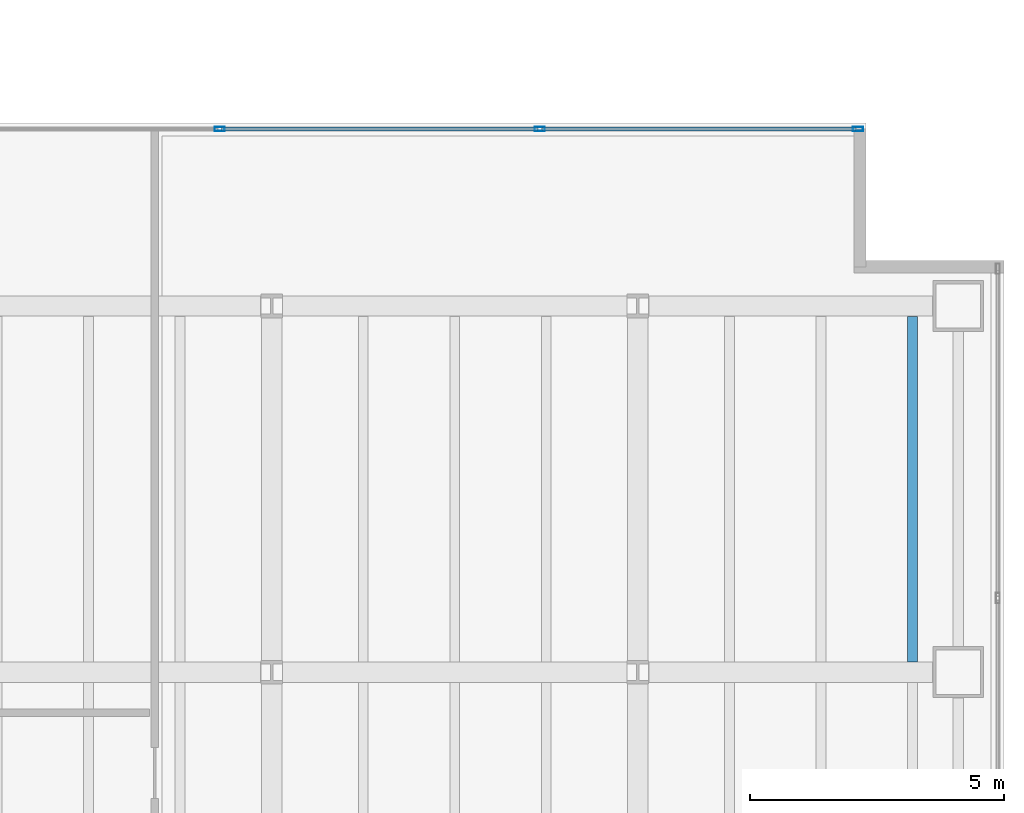
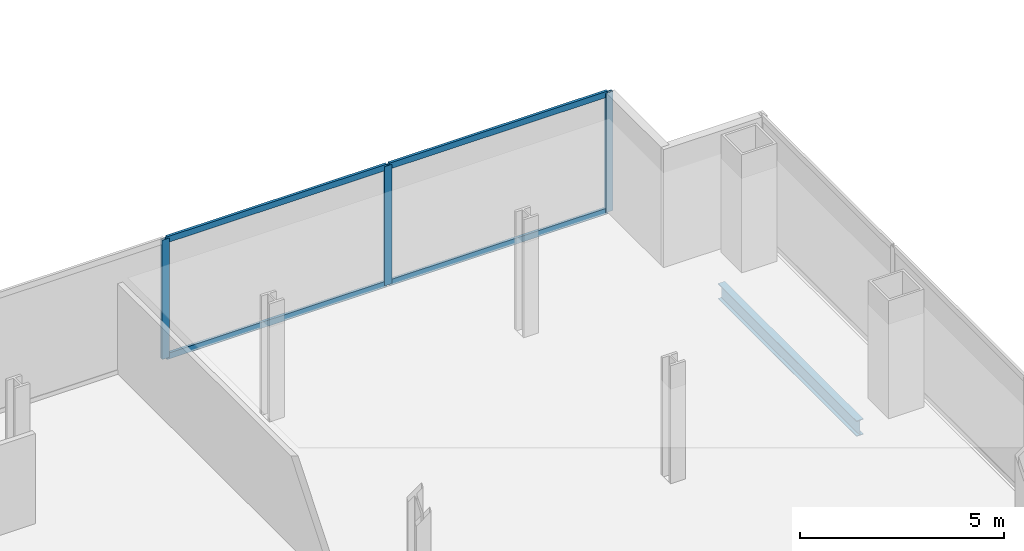
# One storey, part 12 of 25: 7 members, 1 beam, 1 element without a shape of its own.
"""IFC4 building model written with IfcOpenShell, lengths in metres."""

from ifc_helpers import new_model, si_unit, direction, frame, origin, origin_2d, place, context, subcontext, project, spatial, hollow_rectangle, i_section, extrude, material, material_profile, profile_set, type_object, element, aggregate, save


model = new_model("IFC4")

# Units and contexts
model_context = context("Model", 3, precision=1e-05, world=origin(), true_north=direction((0.0, 1.0)))
body_context = subcontext(model_context, "Body", "Model", "MODEL_VIEW")
ifc_project = project(units=[si_unit("LENGTHUNIT", "METRE"), si_unit("AREAUNIT", "SQUARE_METRE"), si_unit("VOLUMEUNIT", "CUBIC_METRE"), si_unit("PLANEANGLEUNIT", "RADIAN"), si_unit("MASSUNIT", "GRAM", prefix="KILO")], contexts=[model_context])

# Site, building, storey
site_placement = place(None, origin())
site = spatial("IfcSite", under=ifc_project, at=site_placement, CompositionType="ELEMENT")
building_placement = place(site_placement, origin())
building = spatial("IfcBuilding", under=site, at=building_placement, Name="Cobrela Telecom Tower", CompositionType="ELEMENT")
storey_placement = place(building_placement, frame((0.0, 0.0, 61.949951171875)))
storey = spatial("IfcBuildingStorey", under=building, at=storey_placement, Name="L15", CompositionType="ELEMENT", Elevation=61.949951171875)

# Beam
ifc_material_1 = material(Name="Steel ASTM A992 Grade 50", Category="steel")
ifc_material_profile_1 = material_profile(ifc_material_1, i_section(OverallWidth=0.193115234375, OverallDepth=0.467041015625, WebThickness=0.011474609375, FlangeThickness=0.01904296875, FilletRadius=0.012939453125, at=origin_2d()), Name="W18X65")
ifc_profile_set_1 = profile_set([ifc_material_profile_1], Name="Steel ASTM A992 Grade 50")
beam_type = type_object("IfcBeamType", Name="BM-JOIST-03", PredefinedType="JOIST", material=ifc_profile_set_1)
beam_placement = place(storey_placement, frame((48.60009765625, 14.6044921875, -0.513427734375), z_axis=(0.0, 1.0, 0.0), x_axis=(-1.0, 0.0, 0.0)))
element("IfcBeam", 1, at=beam_placement, inside=storey, type_object=beam_type, Name="L15 Secondary Composite Floor Beam J64", PredefinedType="JOIST", context=body_context, shape_type="SweptSolid", body=[
    extrude(i_section(OverallWidth=0.193115234375, OverallDepth=0.467041015625, WebThickness=0.011474609375, FlangeThickness=0.01904296875, FilletRadius=0.012939453125, at=origin_2d()), origin(), (0.0, 0.0, 1.0), 6.791015625),
])

# Curtain wall, members
ifc_material_2 = material(Name="Anodized Bronze Aluminium 6063-T6", Category="aluminium")
curtain_wall_type = type_object("IfcCurtainWallType", Name="CW-SYS-DATA", PredefinedType="USERDEFINED", material=ifc_material_2)
curtain_wall_placement = place(storey_placement, origin())
curtain_wall = element("IfcCurtainWall", 2, at=curtain_wall_placement, inside=storey, type_object=curtain_wall_type, Name="L15 Unitised Bronze Curtain Wall 11", ObjectType="UNITISED CURTAIN WALL", PredefinedType="USERDEFINED")
ifc_material_profile_2 = material_profile(ifc_material_2, hollow_rectangle(XDim=0.080078125, YDim=0.199951171875, WallThickness=0.00390625, at=origin_2d()), Name="ALU 80x200x4")
ifc_profile_set_2 = profile_set([ifc_material_profile_2], Name="Anodized Bronze Aluminium 6063-T6")
member_type_1 = type_object("IfcMemberType", Name="CW-SYS-DATA-MUL", PredefinedType="MULLION", material=ifc_profile_set_2)
member_1_placement = place(storey_placement, frame((34.9765625, 25.080078125, 0.0), z_axis=(0.0, 0.0, 1.0), x_axis=(0.0, 1.0, 0.0)))
member_1 = element("IfcMember", 3, at=member_1_placement, type_object=member_type_1, Name="CW-DATA mullion 2", PredefinedType="MULLION", context=body_context, shape_type="SweptSolid", body=[
    extrude(hollow_rectangle(XDim=0.080078125, YDim=0.199951171875, WallThickness=0.00390625, at=origin_2d()), origin(), (0.0, 0.0, 1.0), 3.570068359375),
])
member_2_placement = place(storey_placement, frame((41.2734375, 25.080078125, 0.0), z_axis=(0.0, 0.0, 1.0), x_axis=(0.0, 1.0, 0.0)))
member_2 = element("IfcMember", 4, at=member_2_placement, type_object=member_type_1, Name="CW-DATA mullion 3", PredefinedType="MULLION", context=body_context, shape_type="SweptSolid", body=[
    extrude(hollow_rectangle(XDim=0.080078125, YDim=0.199951171875, WallThickness=0.00390625, at=origin_2d()), origin(), (0.0, 0.0, 1.0), 3.570068359375),
])
member_3_placement = place(storey_placement, frame((47.530029296875, 25.080078125, 0.0), z_axis=(0.0, 0.0, 1.0), x_axis=(0.0, 1.0, 0.0)))
member_3 = element("IfcMember", 5, at=member_3_placement, type_object=member_type_1, Name="CW-DATA mullion 4", PredefinedType="MULLION", context=body_context, shape_type="SweptSolid", body=[
    extrude(hollow_rectangle(XDim=0.080078125, YDim=0.199951171875, WallThickness=0.00390625, at=origin_2d()), origin(), (0.0, 0.0, 1.0), 3.570068359375),
])
ifc_material_profile_3 = material_profile(ifc_material_2, hollow_rectangle(XDim=0.074951171875, YDim=0.179931640625, WallThickness=0.00390625, at=origin_2d()), Name="ALU 75x180x4")
ifc_profile_set_3 = profile_set([ifc_material_profile_3], Name="Anodized Bronze Aluminium 6063-T6")
member_type_2 = type_object("IfcMemberType", Name="CW-SYS-DATA-TRN", PredefinedType="USERDEFINED", material=ifc_profile_set_3)
member_4_placement = place(storey_placement, frame((35.0166015625, 25.080078125, 0.03759765625), z_axis=(1.0, 0.0, 0.0), x_axis=(0.0, 1.0, 0.0)))
member_4 = element("IfcMember", 6, at=member_4_placement, type_object=member_type_2, Name="CW-DATA transom 2.1", ObjectType="TRANSOM", PredefinedType="USERDEFINED", context=body_context, shape_type="SweptSolid", body=[
    extrude(hollow_rectangle(XDim=0.074951171875, YDim=0.179931640625, WallThickness=0.00390625, at=origin_2d()), origin(), (0.0, 0.0, 1.0), 6.216796875),
])
member_5_placement = place(storey_placement, frame((35.0166015625, 25.080078125, 3.532470703125), z_axis=(1.0, 0.0, 0.0), x_axis=(0.0, 1.0, 0.0)))
member_5 = element("IfcMember", 7, at=member_5_placement, type_object=member_type_2, Name="CW-DATA transom 2.2", ObjectType="TRANSOM", PredefinedType="USERDEFINED", context=body_context, shape_type="SweptSolid", body=[
    extrude(hollow_rectangle(XDim=0.074951171875, YDim=0.179931640625, WallThickness=0.00390625, at=origin_2d()), origin(), (0.0, 0.0, 1.0), 6.216796875),
])
member_6_placement = place(storey_placement, frame((41.313232421875, 25.080078125, 0.03759765625), z_axis=(1.0, 0.0, 0.0), x_axis=(0.0, 1.0, 0.0)))
member_6 = element("IfcMember", 8, at=member_6_placement, type_object=member_type_2, Name="CW-DATA transom 3.1", ObjectType="TRANSOM", PredefinedType="USERDEFINED", context=body_context, shape_type="SweptSolid", body=[
    extrude(hollow_rectangle(XDim=0.074951171875, YDim=0.179931640625, WallThickness=0.00390625, at=origin_2d()), origin(), (0.0, 0.0, 1.0), 6.1767578125),
])
member_7_placement = place(storey_placement, frame((41.313232421875, 25.080078125, 3.532470703125), z_axis=(1.0, 0.0, 0.0), x_axis=(0.0, 1.0, 0.0)))
member_7 = element("IfcMember", 9, at=member_7_placement, type_object=member_type_2, Name="CW-DATA transom 3.2", ObjectType="TRANSOM", PredefinedType="USERDEFINED", context=body_context, shape_type="SweptSolid", body=[
    extrude(hollow_rectangle(XDim=0.074951171875, YDim=0.179931640625, WallThickness=0.00390625, at=origin_2d()), origin(), (0.0, 0.0, 1.0), 6.1767578125),
])
aggregate(curtain_wall, [member_1, member_2, member_3, member_4, member_5, member_6, member_7])

save(model, "model.ifc")
